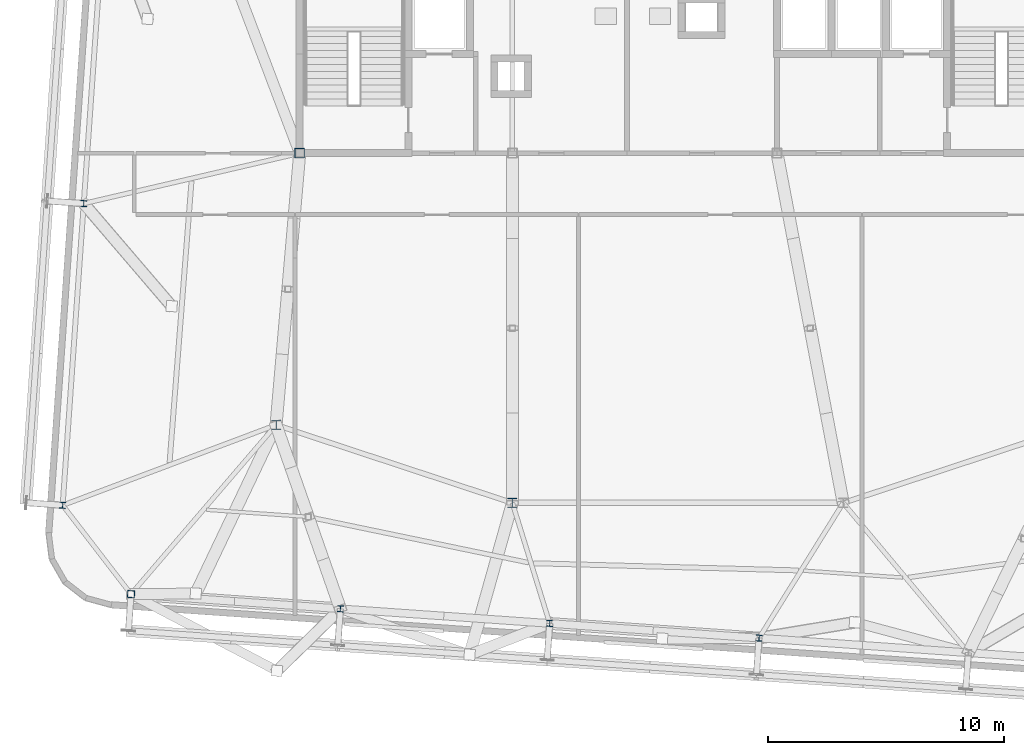
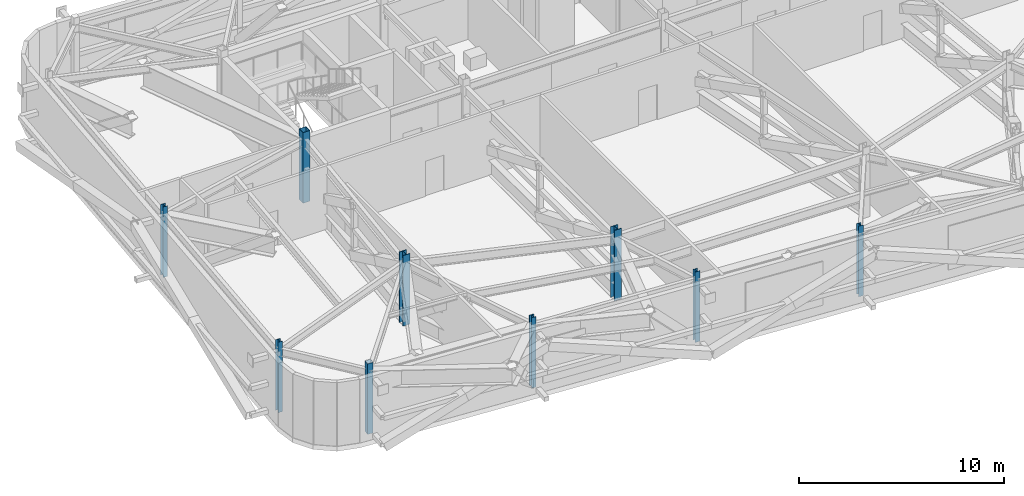
# One storey, part 1 of 24: 9 columns.
"""IFC4 building model written with IfcOpenShell, lengths in metres."""

from ifc_helpers import new_model, si_unit, direction, frame, origin, origin_2d, place, context, subcontext, project, spatial, hollow_rectangle, i_section, extrude, source, transform, mapped, material, material_profile, profile_set, type_object, element, save


model = new_model("IFC4")

# Units and contexts
model_context = context("Model", 3, precision=1e-05, world=origin(), true_north=direction((0.0, 1.0)))
body_context = subcontext(model_context, "Body", "Model", "MODEL_VIEW")
ifc_project = project(units=[si_unit("LENGTHUNIT", "METRE"), si_unit("AREAUNIT", "SQUARE_METRE"), si_unit("VOLUMEUNIT", "CUBIC_METRE"), si_unit("PLANEANGLEUNIT", "RADIAN"), si_unit("MASSUNIT", "GRAM", prefix="KILO")], contexts=[model_context])

# Site, building, storey
site_placement = place(None, origin())
site = spatial("IfcSite", under=ifc_project, at=site_placement, CompositionType="ELEMENT")
building_placement = place(site_placement, origin())
building = spatial("IfcBuilding", under=site, at=building_placement, Name="Taldren Reach Tower", CompositionType="ELEMENT")
storey_placement = place(building_placement, frame((0.0, 0.0, 164.5)))
storey = spatial("IfcBuildingStorey", under=building, at=storey_placement, Name="L50", CompositionType="ELEMENT", Elevation=164.5)

# Columns
ifc_material_1 = material(Name="Steel Gr 450 (C450L0)", Category="steel")
ifc_material_profile_1 = material_profile(ifc_material_1, hollow_rectangle(XDim=0.39990234375, YDim=0.39990234375, WallThickness=0.01611328125, at=origin_2d()), Name="400x400x16.0SHS")
ifc_profile_set_1 = profile_set([ifc_material_profile_1], Name="Steel Gr 450 (C450L0)")
column_type_1 = type_object("IfcColumnType", Name="COL-SHS400", PredefinedType="COLUMN", material=ifc_profile_set_1)
shared_shape_1 = source(origin(), body_context, "Body", "SweptSolid", [
    extrude(hollow_rectangle(XDim=0.39990234375, YDim=0.39990234375, WallThickness=0.01611328125, at=origin_2d()), origin(), (0.0, 0.0, 1.0), 4.199951171875),
])
column_1_placement = place(storey_placement, frame((19.0, 24.0, 0.0), z_axis=(0.0, 0.0, 1.0), x_axis=(1.0, 0.0, 0.0)))
element("IfcColumn", 1, at=column_1_placement, inside=storey, type_object=column_type_1, Name="Mega column MC-C1 L50", PredefinedType="COLUMN", context=body_context, shape_type="MappedRepresentation", body=[
    mapped(shared_shape_1, transform((0.0, 0.0, 0.0), scale=1.0)),
])
ifc_material_2 = material(Name="Steel Gr 350 (350PLUS)", Category="steel")
ifc_material_profile_2 = material_profile(ifc_material_2, i_section(OverallWidth=0.39990234375, OverallDepth=0.39599609375, WebThickness=0.02197265625, FlangeThickness=0.033935546875, at=origin_2d()), Name="400WC270")
ifc_profile_set_2 = profile_set([ifc_material_profile_2], Name="Steel Gr 350 (350PLUS)")
column_type_2 = type_object("IfcColumnType", Name="COL-WC400", PredefinedType="COLUMN", material=ifc_profile_set_2)
shared_shape_2 = source(origin(), body_context, "Body", "SweptSolid", [
    extrude(i_section(OverallWidth=0.39990234375, OverallDepth=0.39599609375, WebThickness=0.02197265625, FlangeThickness=0.033935546875, at=origin_2d()), origin(), (0.0, 0.0, 1.0), 4.199951171875),
])
for number, where, z_axis, x_axis, name in (
    (2, (28.0, 9.199951171875, 0.0), (0.0, 0.0, 1.0), (1.0, 0.0, 0.0), "Mega column MC-PJW L50"),
    (3, (18.0, 12.5, 0.0), (0.0, 0.0, 1.0), (1.0, 0.0, 0.0), "Mega column MC-SW L50"),
):
    element("IfcColumn", number, at=place(storey_placement, frame(where, z_axis=z_axis, x_axis=x_axis)), inside=storey, type_object=column_type_2, Name=name, PredefinedType="COLUMN", context=body_context, shape_type="MappedRepresentation", body=[
        mapped(shared_shape_2, transform((0.0, 0.0, 0.0), scale=1.0)),
    ])
ifc_material_profile_3 = material_profile(ifc_material_1, hollow_rectangle(XDim=0.300048828125, YDim=0.300048828125, WallThickness=0.012451171875, at=origin_2d()), Name="300x300x12.5SHS")
ifc_profile_set_3 = profile_set([ifc_material_profile_3], Name="Steel Gr 450 (C450L0)")
column_type_3 = type_object("IfcColumnType", Name="COL-SHS300", PredefinedType="COLUMN", material=ifc_profile_set_3)
shared_shape_3 = source(origin(), body_context, "Body", "SweptSolid", [
    extrude(hollow_rectangle(XDim=0.300048828125, YDim=0.300048828125, WallThickness=0.012451171875, at=origin_2d()), origin(), (0.0, 0.0, 1.0), 4.199951171875),
])
column_2_placement = place(storey_placement, frame((11.863525390625, 5.33837890625, 0.0), z_axis=(0.0, 0.0, 1.0), x_axis=(0.99756405026, -0.069756473744, 0.0)))
element("IfcColumn", 4, at=column_2_placement, inside=storey, type_object=column_type_3, Name="Block B3 perimeter column S1 L50", PredefinedType="COLUMN", context=body_context, shape_type="MappedRepresentation", body=[
    mapped(shared_shape_3, transform((0.0, 0.0, 0.0), scale=1.0)),
])
ifc_material_profile_4 = material_profile(ifc_material_2, i_section(OverallWidth=0.256103515625, OverallDepth=0.260009765625, WebThickness=0.010498046875, FlangeThickness=0.017333984375, at=origin_2d()), Name="250UC89.5")
ifc_profile_set_4 = profile_set([ifc_material_profile_4], Name="Steel Gr 350 (350PLUS)")
column_type_4 = type_object("IfcColumnType", Name="COL-UC250", PredefinedType="COLUMN", material=ifc_profile_set_4)
shared_shape_4 = source(origin(), body_context, "Body", "SweptSolid", [
    extrude(i_section(OverallWidth=0.256103515625, OverallDepth=0.260009765625, WebThickness=0.010498046875, FlangeThickness=0.017333984375, at=origin_2d()), origin(), (0.0, 0.0, 1.0), 4.199951171875),
])
for number, where, z_axis, x_axis, name in (
    (5, (20.721923828125, 4.718994140625, 0.0), (0.0, 0.0, 1.0), (0.99756405026, -0.069756473744, 0.0), "Block B3 perimeter column S2 L50"),
    (6, (29.580322265625, 4.099609375, 0.0), (0.0, 0.0, 1.0), (0.99756405026, -0.069756473744, 0.0), "Block B3 perimeter column S3 L50"),
    (7, (38.438720703125, 3.480224609375, 0.0), (0.0, 0.0, 1.0), (0.99756405026, -0.069756473744, 0.0), "Block B3 perimeter column S4 L50"),
    (8, (8.96875, 9.099609375, 0.0), (0.0, 0.0, 1.0), (0.99756405026, -0.069756473744, 0.0), "Block B3 perimeter column W1 L50"),
    (9, (9.86181640625, 21.868408203125, 0.0), (0.0, 0.0, 1.0), (0.99756405026, -0.069756473744, 0.0), "Block B3 perimeter column W2 L50"),
):
    element("IfcColumn", number, at=place(storey_placement, frame(where, z_axis=z_axis, x_axis=x_axis)), inside=storey, type_object=column_type_4, Name=name, PredefinedType="COLUMN", context=body_context, shape_type="MappedRepresentation", body=[
        mapped(shared_shape_4, transform((0.0, 0.0, 0.0), scale=1.0)),
    ])

save(model, "model.ifc")
